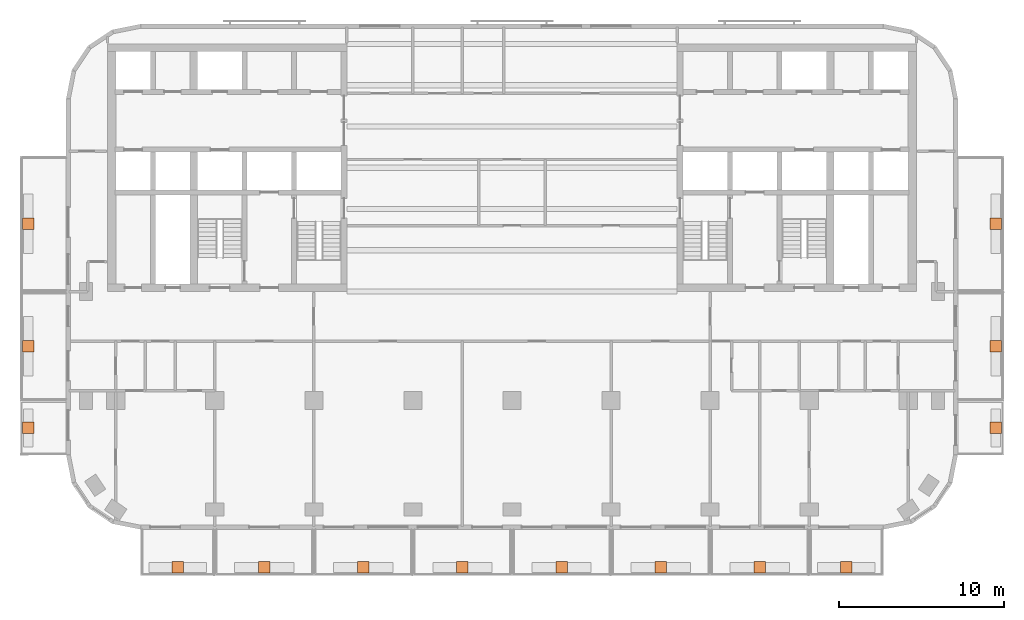
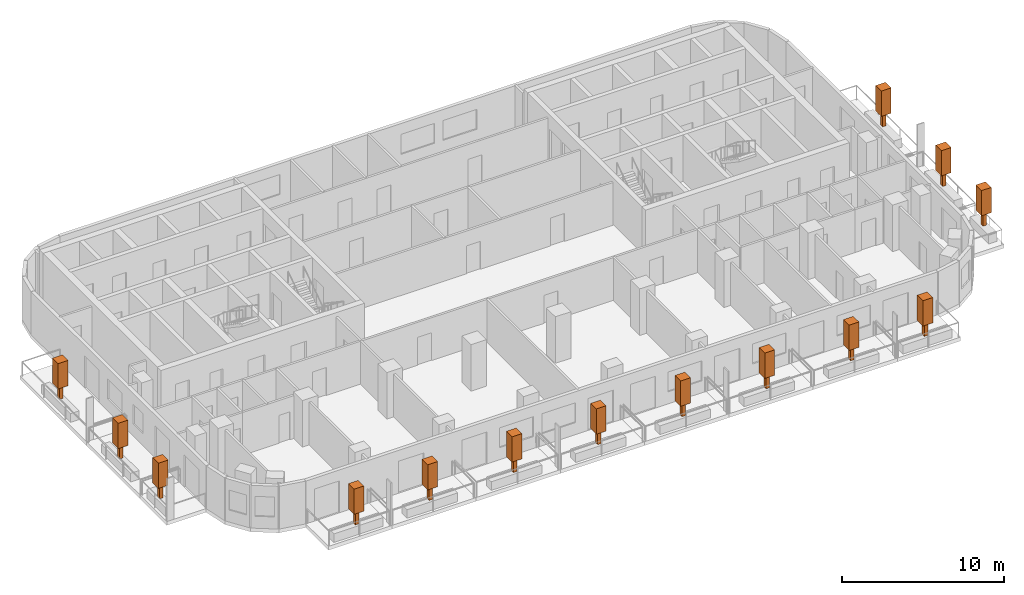
# One storey, part 11 of 11: 14 geographic elements.
"""IFC4 building model written with IfcOpenShell, lengths in metres."""

from ifc_helpers import new_model, si_unit, direction, frame, origin, origin_2d, place, context, subcontext, project, spatial, rectangle, extrude, material, element, save


model = new_model("IFC4")

# Units and contexts
model_context = context("Model", 3, precision=1e-05, world=origin(), true_north=direction((0.0, 1.0)))
body_context = subcontext(model_context, "Body", "Model", "MODEL_VIEW")
ifc_project = project(units=[si_unit("LENGTHUNIT", "METRE"), si_unit("AREAUNIT", "SQUARE_METRE"), si_unit("VOLUMEUNIT", "CUBIC_METRE"), si_unit("PLANEANGLEUNIT", "RADIAN"), si_unit("MASSUNIT", "GRAM", prefix="KILO")], contexts=[model_context])

# Site, building, storey
site_placement = place(None, origin())
site = spatial("IfcSite", under=ifc_project, at=site_placement, CompositionType="ELEMENT")
building_placement = place(site_placement, origin())
building = spatial("IfcBuilding", under=site, at=building_placement, Name="Torana Hotel and Residences", CompositionType="ELEMENT")
storey_placement = place(building_placement, frame((0.0, 0.0, 229.10009765625)))
storey = spatial("IfcBuildingStorey", under=building, at=storey_placement, Name="L60", CompositionType="ELEMENT", Elevation=229.10009765625)

# Geographic elements
ifc_material = material(Name="Foliage", Category="planting")
for number, where, z_axis, x_axis, name in (
    (1, (-20.25, -31.699951171875, 0.64990234375), (0.0, 0.0, 1.0), (1.0, 0.0, 0.0), "Tree 01"),
    (2, (-15.0, -31.699951171875, 0.64990234375), (0.0, 0.0, 1.0), (1.0, 0.0, 0.0), "Tree 02"),
    (3, (-9.0, -31.699951171875, 0.64990234375), (0.0, 0.0, 1.0), (1.0, 0.0, 0.0), "Tree 03"),
    (4, (-3.0, -31.699951171875, 0.64990234375), (0.0, 0.0, 1.0), (1.0, 0.0, 0.0), "Tree 04"),
    (5, (3.0, -31.699951171875, 0.64990234375), (0.0, 0.0, 1.0), (1.0, 0.0, 0.0), "Tree 05"),
    (6, (9.0, -31.699951171875, 0.64990234375), (0.0, 0.0, 1.0), (1.0, 0.0, 0.0), "Tree 06"),
    (7, (15.0, -31.699951171875, 0.64990234375), (0.0, 0.0, 1.0), (1.0, 0.0, 0.0), "Tree 07"),
    (8, (20.25, -31.699951171875, 0.64990234375), (0.0, 0.0, 1.0), (1.0, 0.0, 0.0), "Tree 08"),
    (9, (-29.300048828125, -23.25, 0.64990234375), (0.0, 0.0, 1.0), (1.0, 0.0, 0.0), "Tree 09"),
    (10, (-29.300048828125, -18.300048828125, 0.64990234375), (0.0, 0.0, 1.0), (1.0, 0.0, 0.0), "Tree 10"),
    (11, (-29.300048828125, -10.89990234375, 0.64990234375), (0.0, 0.0, 1.0), (1.0, 0.0, 0.0), "Tree 11"),
    (12, (29.300048828125, -23.25, 0.64990234375), (0.0, 0.0, 1.0), (1.0, 0.0, 0.0), "Tree 12"),
    (13, (29.300048828125, -18.300048828125, 0.64990234375), (0.0, 0.0, 1.0), (1.0, 0.0, 0.0), "Tree 13"),
    (14, (29.300048828125, -10.89990234375, 0.64990234375), (0.0, 0.0, 1.0), (1.0, 0.0, 0.0), "Tree 14"),
):
    element("IfcGeographicElement", number, at=place(storey_placement, frame(where, z_axis=z_axis, x_axis=x_axis)), inside=storey, material=ifc_material, Name=name, ObjectType="TREE", PredefinedType="USERDEFINED", context=body_context, shape_type="SweptSolid", body=[
        extrude(rectangle(XDim=0.25, YDim=0.25, at=origin_2d()), origin(), (0.0, 0.0, 1.0), 1.0),
        extrude(rectangle(XDim=0.699951171875, YDim=0.699951171875, at=origin_2d()), frame((0.0, 0.0, 1.0)), (0.0, 0.0, 1.0), 1.89990234375),
    ])

save(model, "model.ifc")
